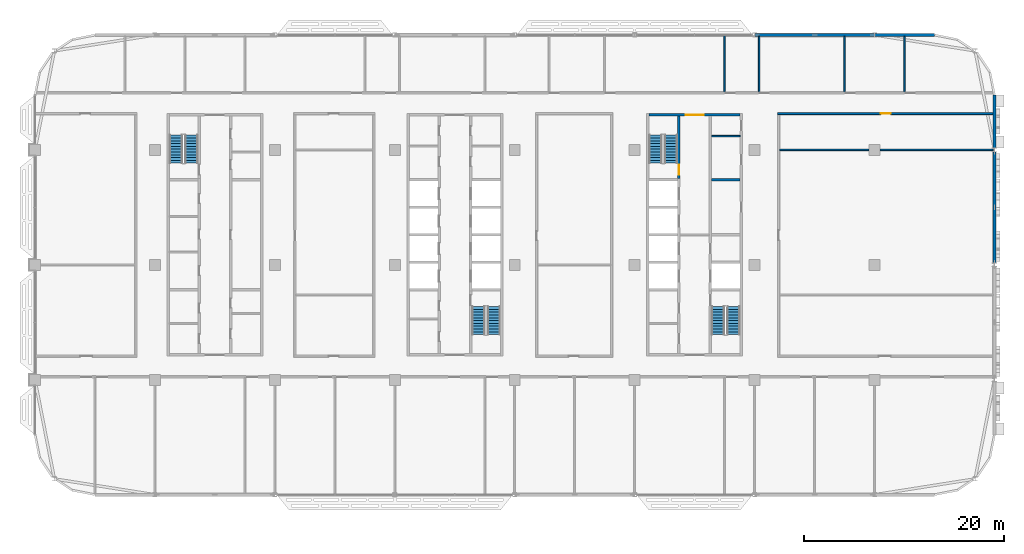
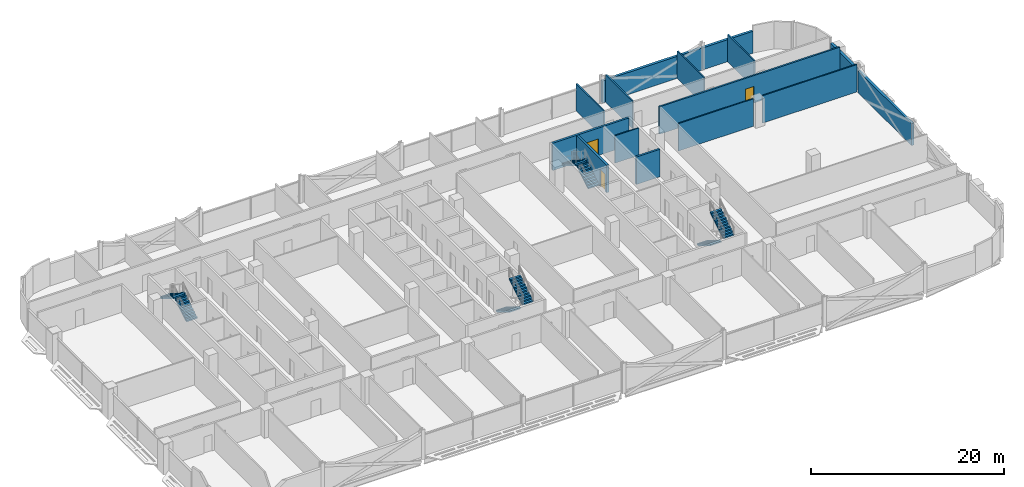
# One storey, part 18 of 29: 15 walls, 8 stair flights, 3 doors, 3 openings, 4 elements without a shape of their own.
"""IFC4 building model written with IfcOpenShell, lengths in metres."""

from ifc_helpers import new_model, si_unit, direction, frame, frame_2d, origin, place, context, subcontext, project, spatial, polyline, rectangle, outline, extrude, material, layer, layer_set, type_object, element, fill, aggregate, save


model = new_model("IFC4")

# Units and contexts
model_context = context("Model", 3, precision=1e-05, world=origin(), true_north=direction((0.0, 1.0)))
body_context = subcontext(model_context, "Body", "Model", "MODEL_VIEW")
ifc_project = project(units=[si_unit("LENGTHUNIT", "METRE"), si_unit("AREAUNIT", "SQUARE_METRE"), si_unit("VOLUMEUNIT", "CUBIC_METRE"), si_unit("PLANEANGLEUNIT", "RADIAN"), si_unit("MASSUNIT", "GRAM", prefix="KILO")], contexts=[model_context])

# Site, building, storey
site_placement = place(None, origin())
site = spatial("IfcSite", under=ifc_project, at=site_placement, CompositionType="ELEMENT")
building_placement = place(site_placement, origin())
building = spatial("IfcBuilding", under=site, at=building_placement, Name="Mahtab Terrace Research Tower", CompositionType="ELEMENT")
storey_placement = place(building_placement, frame((0.0, 0.0, 197.699951171875)))
storey = spatial("IfcBuildingStorey", under=building, at=storey_placement, Name="L47", CompositionType="ELEMENT", Elevation=197.699951171875)

# Wall
ifc_material_1 = material(Name="Gypsum board partition")
ifc_layer_1 = layer(ifc_material_1, 0.14990234375)
ifc_layer_set_1 = layer_set([ifc_layer_1], Name="Core partition 150")
wall_type_1 = type_object("IfcWallType", Name="Core partition 150", PredefinedType="PARTITIONING", material=ifc_layer_set_1)
wall_1_placement = place(storey_placement, frame((25.699951171875, 12.875, 0.0), z_axis=(0.0, 0.0, 1.0), x_axis=(1.0, 0.0, 0.0)))
element("IfcWall", 1, at=wall_1_placement, inside=storey, type_object=wall_type_1, Name="Core wall C pEN988", PredefinedType="PARTITIONING", context=body_context, shape_type="SweptSolid", body=[
    extrude(rectangle(XDim=2.85009765625, YDim=0.14990234375, at=frame_2d((1.425048828125, 0.0))), origin(), (0.0, 0.0, 1.0), 3.4599609375),
])

# Wall, opening, door
ifc_material_2 = material(Name="Concrete C70/85", Category="concrete")
ifc_layer_2 = layer(ifc_material_2, 0.25)
ifc_layer_set_2 = layer_set([ifc_layer_2], Name="Core wall 250")
wall_type_2 = type_object("IfcWallType", Name="Core wall 250", PredefinedType="SOLIDWALL", material=ifc_layer_set_2)
wall_2_placement = place(storey_placement, frame((19.449951171875, 15.0, 0.0), z_axis=(0.0, 0.0, 1.0), x_axis=(1.0, 0.0, 0.0)))
wall_2 = element("IfcWall", 2, at=wall_2_placement, inside=storey, type_object=wall_type_2, Name="Core wall C endN", PredefinedType="SOLIDWALL", context=body_context, shape_type="SweptSolid", body=[
    extrude(rectangle(XDim=9.10009765625, YDim=0.25, at=frame_2d((4.550048828125, 0.0))), origin(), (0.0, 0.0, 1.0), 3.4599609375),
])
opening_1_placement = place(wall_2_placement, frame((3.64990234375, 0.0, 0.0)))
opening_1 = element("IfcOpeningElement", 3, at=opening_1_placement, cuts=wall_2, Name="Opening C-N1", PredefinedType="OPENING", context=body_context, shape_type="SweptSolid", body=[
    extrude(rectangle(XDim=1.800048828125, YDim=2.10009765625, at=frame_2d((0.89990234375, 1.050048828125))), frame((0.0, 0.135009765625, 0.0), z_axis=(0.0, -1.0, 0.0), x_axis=(1.0, 0.0, 0.0)), (0.0, 0.0, 1.0), 0.27001953125),
])
ifc_material_3 = material(Name="Steel fire door", Category="steel")
door_type_1 = type_object("IfcDoorType", Name="Lobby double door 1800x2100 1 HR", OperationType="DOUBLE_DOOR_SINGLE_SWING", PredefinedType="DOOR", material=ifc_material_3)
door_1_placement = place(opening_1_placement, origin())
door_1 = element("IfcDoor", 4, at=door_1_placement, inside=storey, type_object=door_type_1, Name="Core entrance door C N", OperationType="DOUBLE_DOOR_SINGLE_SWING", OverallHeight=2.10009765625, OverallWidth=1.800048828125, PredefinedType="DOOR", context=body_context, shape_type="SweptSolid", body=[
    extrude(rectangle(XDim=1.800048828125, YDim=2.10009765625, at=frame_2d((0.89990234375, 1.050048828125))), frame((0.0, 0.02490234375, 0.0), z_axis=(0.0, -1.0, 0.0), x_axis=(1.0, 0.0, 0.0)), (0.0, 0.0, 1.0), 0.050048828125),
])
fill(opening_1, door_1)

wall_3_placement = place(storey_placement, frame((22.425048828125, 14.875, 0.0), z_axis=(0.0, 0.0, 1.0), x_axis=(0.0, -1.0, 0.0)))
wall_3 = element("IfcWall", 5, at=wall_3_placement, inside=storey, type_object=wall_type_2, Name="Core wall C innerWN", PredefinedType="SOLIDWALL", context=body_context, shape_type="SweptSolid", body=[
    extrude(rectangle(XDim=6.25, YDim=0.25, at=frame_2d((3.125, 0.0))), origin(), (0.0, 0.0, 1.0), 3.4599609375),
])
opening_2_placement = place(wall_3_placement, frame((4.85009765625, 0.0, 0.0)))
opening_2 = element("IfcOpeningElement", 6, at=opening_2_placement, cuts=wall_3, Name="Opening C-ST3", PredefinedType="OPENING", context=body_context, shape_type="SweptSolid", body=[
    extrude(rectangle(XDim=1.0, YDim=2.10009765625, at=frame_2d((0.5, 1.050048828125))), frame((0.0, 0.135009765625, 0.0), z_axis=(0.0, -1.0, 0.0), x_axis=(1.0, 0.0, 0.0)), (0.0, 0.0, 1.0), 0.27001953125),
])
door_type_2 = type_object("IfcDoorType", Name="Stair door 1000x2100 1.5 HR", OperationType="NOTDEFINED", PredefinedType="DOOR", material=ifc_material_3)
door_2_placement = place(opening_2_placement, origin())
door_2 = element("IfcDoor", 7, at=door_2_placement, inside=storey, type_object=door_type_2, Name="Stair door ST3 L47", OperationType="SINGLE_SWING_LEFT", OverallHeight=2.10009765625, OverallWidth=1.0, PredefinedType="DOOR", context=body_context, shape_type="SweptSolid", body=[
    extrude(rectangle(XDim=1.0, YDim=2.10009765625, at=frame_2d((0.5, 1.050048828125))), frame((0.0, 0.02490234375, 0.0), z_axis=(0.0, -1.0, 0.0), x_axis=(1.0, 0.0, 0.0)), (0.0, 0.0, 1.0), 0.050048828125),
])
fill(opening_2, door_2)

# Walls
wall_4_placement = place(storey_placement, frame((25.699951171875, 8.5, 0.0), z_axis=(0.0, 0.0, 1.0), x_axis=(1.0, 0.0, 0.0)))
element("IfcWall", 8, at=wall_4_placement, inside=storey, type_object=wall_type_2, Name="Core wall C divE4", PredefinedType="SOLIDWALL", context=body_context, shape_type="SweptSolid", body=[
    extrude(rectangle(XDim=2.85009765625, YDim=0.25, at=frame_2d((1.425048828125, 0.0))), origin(), (0.0, 0.0, 1.0), 3.4599609375),
])
ifc_material_4 = material(Name="Black aluminium cladding panel", Category="aluminium")
ifc_layer_3 = layer(ifc_material_4, 0.300048828125)
ifc_layer_set_3 = layer_set([ifc_layer_3], Name="Opaque facade wall 300")
wall_type_3 = type_object("IfcWallType", Name="Opaque facade wall 300", PredefinedType="NOTDEFINED", material=ifc_layer_set_3)
wall_5_placement = place(storey_placement, frame((48.0, 23.0, 0.0), z_axis=(0.0, 0.0, 1.0), x_axis=(-1.0, 0.0, 0.0)))
element("IfcWall", 9, at=wall_5_placement, inside=storey, type_object=wall_type_3, Name="Opaque facade wall L47 N3", PredefinedType="NOTDEFINED", context=body_context, shape_type="SweptSolid", body=[
    extrude(rectangle(XDim=5.987548828125, YDim=0.300048828125, at=frame_2d((2.99365234375, 0.0))), origin(), (0.0, 0.0, 1.0), 2.78173828125),
])
wall_6_placement = place(storey_placement, frame((41.987548828125, 23.0, 0.0), z_axis=(0.0, 0.0, 1.0), x_axis=(-1.0, 0.0, 0.0)))
element("IfcWall", 10, at=wall_6_placement, inside=storey, type_object=wall_type_3, Name="Opaque facade wall L47 N4", PredefinedType="NOTDEFINED", context=body_context, shape_type="SweptSolid", body=[
    extrude(rectangle(XDim=11.97509765625, YDim=0.300048828125, at=frame_2d((5.987548828125, 0.0))), origin(), (0.0, 0.0, 1.0), 2.78173828125),
])
wall_7_placement = place(storey_placement, frame((54.0, 0.199951171875, 0.0), z_axis=(0.0, 0.0, 1.0), x_axis=(0.0, 1.0, 0.0)))
element("IfcWall", 11, at=wall_7_placement, inside=storey, type_object=wall_type_3, Name="Opaque facade wall L47 E37", PredefinedType="NOTDEFINED", context=body_context, shape_type="SweptSolid", body=[
    extrude(rectangle(XDim=11.10009765625, YDim=0.300048828125, at=frame_2d((5.550048828125, 0.0))), origin(), (0.0, 0.0, 1.0), 2.78173828125),
])
wall_8_placement = place(storey_placement, frame((54.0, 11.699951171875, 0.0), z_axis=(0.0, 0.0, 1.0), x_axis=(0.0, 1.0, 0.0)))
element("IfcWall", 12, at=wall_8_placement, inside=storey, type_object=wall_type_3, Name="Opaque facade wall L47 E38", PredefinedType="NOTDEFINED", context=body_context, shape_type="SweptSolid", body=[
    extrude(rectangle(XDim=5.300048828125, YDim=0.300048828125, at=frame_2d((2.64990234375, 0.0))), origin(), (0.0, 0.0, 1.0), 2.78173828125),
])

# Wall, opening, door
ifc_material_5 = material(Name="Gypsum board corridor wall on steel studs", Category="steel")
ifc_layer_4 = layer(ifc_material_5, 0.199951171875)
ifc_layer_set_4 = layer_set([ifc_layer_4], Name="WALL CORRIDOR 200")
wall_type_4 = type_object("IfcWallType", Name="WALL CORRIDOR 200", PredefinedType="PARTITIONING", material=ifc_layer_set_4)
wall_9_placement = place(storey_placement, frame((32.300048828125, 15.125, 0.0), z_axis=(0.0, 0.0, 1.0), x_axis=(1.0, 0.0, 0.0)))
wall_9 = element("IfcWall", 13, at=wall_9_placement, inside=storey, type_object=wall_type_4, Name="L47-W023", PredefinedType="PARTITIONING", context=body_context, shape_type="SweptSolid", body=[
    extrude(rectangle(XDim=21.550048828125, YDim=0.199951171875, at=frame_2d((10.77490234375, 0.0))), origin(), (0.0, 0.0, 1.0), 3.4599609375),
])
opening_3_placement = place(wall_9_placement, frame((10.300048828125, 0.0, 0.0)))
opening_3 = element("IfcOpeningElement", 14, at=opening_3_placement, cuts=wall_9, Name="Opening L47-125", PredefinedType="OPENING", context=body_context, shape_type="SweptSolid", body=[
    extrude(rectangle(XDim=1.0, YDim=2.10009765625, at=frame_2d((0.5, 1.050048828125))), frame((0.0, 0.10986328125, 0.0), z_axis=(0.0, -1.0, 0.0), x_axis=(1.0, 0.0, 0.0)), (0.0, 0.0, 1.0), 0.219970703125),
])
ifc_material_6 = material(Name="Timber door leaf in steel frame", Category="steel")
door_type_3 = type_object("IfcDoorType", Name="DOOR 1000X2100 FD30S", OperationType="SINGLE_SWING_LEFT", PredefinedType="DOOR", material=ifc_material_6)
door_3_placement = place(opening_3_placement, origin())
door_3 = element("IfcDoor", 15, at=door_3_placement, inside=storey, type_object=door_type_3, Name="Door L47-125", OperationType="SINGLE_SWING_LEFT", OverallHeight=2.10009765625, OverallWidth=1.0, PredefinedType="DOOR", context=body_context, shape_type="SweptSolid", body=[
    extrude(rectangle(XDim=1.0, YDim=2.10009765625, at=frame_2d((0.5, 1.050048828125))), frame((0.0, 0.02490234375, 0.0), z_axis=(0.0, -1.0, 0.0), x_axis=(1.0, 0.0, 0.0)), (0.0, 0.0, 1.0), 0.050048828125),
])
fill(opening_3, door_3)

# Walls
ifc_material_7 = material(Name="Gypsum board partition on steel studs", Category="steel")
ifc_layer_5 = layer(ifc_material_7, 0.14990234375)
ifc_layer_set_5 = layer_set([ifc_layer_5], Name="WALL PARTITION 150")
wall_type_5 = type_object("IfcWallType", Name="WALL PARTITION 150", PredefinedType="PARTITIONING", material=ifc_layer_set_5)
wall_10_placement = place(storey_placement, frame((32.5, 11.5, 0.0), z_axis=(0.0, 0.0, 1.0), x_axis=(1.0, 0.0, 0.0)))
element("IfcWall", 16, at=wall_10_placement, inside=storey, type_object=wall_type_5, Name="L47-W018", PredefinedType="PARTITIONING", context=body_context, shape_type="SweptSolid", body=[
    extrude(rectangle(XDim=8.949951171875, YDim=0.14990234375, at=frame_2d((4.47509765625, 0.0))), origin(), (0.0, 0.0, 1.0), 3.4599609375),
])
wall_11_placement = place(storey_placement, frame((42.550048828125, 11.5, 0.0), z_axis=(0.0, 0.0, 1.0), x_axis=(1.0, 0.0, 0.0)))
element("IfcWall", 17, at=wall_11_placement, inside=storey, type_object=wall_type_5, Name="L47-W019", PredefinedType="PARTITIONING", context=body_context, shape_type="SweptSolid", body=[
    extrude(rectangle(XDim=11.300048828125, YDim=0.14990234375, at=frame_2d((5.64990234375, 0.0))), origin(), (0.0, 0.0, 1.0), 3.4599609375),
])
wall_12_placement = place(storey_placement, frame((27.0, 17.300048828125, 0.0), z_axis=(0.0, 0.0, 1.0), x_axis=(0.0, 1.0, 0.0)))
element("IfcWall", 18, at=wall_12_placement, inside=storey, type_object=wall_type_5, Name="L47-W049", PredefinedType="PARTITIONING", context=body_context, shape_type="SweptSolid", body=[
    extrude(rectangle(XDim=5.675048828125, YDim=0.14990234375, at=frame_2d((2.83740234375, 0.0))), origin(), (0.0, 0.0, 1.0), 3.4599609375),
])
for number, where, z_axis, x_axis, name in (
    (19, (30.449951171875, 17.300048828125, 0.0), (0.0, 0.0, 1.0), (0.0, 1.0, 0.0), "L47-W051"),
    (20, (39.0, 17.300048828125, 0.0), (0.0, 0.0, 1.0), (0.0, 1.0, 0.0), "L47-W054"),
    (21, (45.0, 17.300048828125, 0.0), (0.0, 0.0, 1.0), (0.0, 1.0, 0.0), "L47-W056"),
):
    element("IfcWall", number, at=place(storey_placement, frame(where, z_axis=z_axis, x_axis=x_axis)), inside=storey, type_object=wall_type_5, Name=name, PredefinedType="PARTITIONING", context=body_context, shape_type="SweptSolid", body=[
        extrude(rectangle(XDim=5.550048828125, YDim=0.14990234375, at=frame_2d((2.77490234375, 0.0))), origin(), (0.0, 0.0, 1.0), 3.4599609375),
    ])

# Stair, stair flights
ifc_material_8 = material(Name="Exit stair half-turn")
stair_type = type_object("IfcStairType", Name="Exit stair half-turn", PredefinedType="HALF_TURN_STAIR", material=ifc_material_8)
stair_1_placement = place(storey_placement, origin())
stair_1 = element("IfcStair", 22, at=stair_1_placement, inside=storey, type_object=stair_type, Name="L47 Protected exit stair ST1", PredefinedType="HALF_TURN_STAIR")
ifc_material_9 = material(Name="Concrete C40/50", Category="concrete")
stair_flight_type = type_object("IfcStairFlightType", Name="Exit stair flight 1300", PredefinedType="STRAIGHT", material=ifc_material_9)
stair_flight_1_placement = place(storey_placement, frame((-26.35009765625, 10.175048828125, 0.0), z_axis=(0.0, 0.0, 1.0), x_axis=(0.0, 1.0, 0.0)))
stair_flight_1 = element("IfcStairFlight", 23, at=stair_flight_1_placement, type_object=stair_flight_type, Name="ST1 flight 1", NumberOfRisers=11, NumberOfTreads=10, PredefinedType="STRAIGHT", RiserHeight=0.172727273, TreadLength=0.28, context=body_context, shape_type="SweptSolid", body=[
    extrude(outline(polyline([(0.0, 0.0), (0.0, 0.172607421875), (0.280029296875, 0.172607421875), (0.280029296875, 0.345458984375), (0.56005859375, 0.345458984375), (0.56005859375, 0.51806640625), (0.840087890625, 0.51806640625), (0.840087890625, 0.69091796875), (1.1201171875, 0.69091796875), (1.1201171875, 0.863525390625), (1.39990234375, 0.863525390625), (1.39990234375, 1.036376953125), (1.679931640625, 1.036376953125), (1.679931640625, 1.208984375), (1.9599609375, 1.208984375), (1.9599609375, 1.3818359375), (2.239990234375, 1.3818359375), (2.239990234375, 1.554443359375), (2.52001953125, 1.554443359375), (2.52001953125, 1.727294921875), (2.800048828125, 1.727294921875), (2.800048828125, 1.89990234375), (2.800048828125, 1.551025390625), (0.285400390625, 0.0), (0.0, 0.0)])), frame((0.0, 0.64990234375, 0.0), z_axis=(0.0, -1.0, 0.0), x_axis=(1.0, 0.0, 0.0)), (0.0, 0.0, 1.0), 1.300048828125),
])
stair_flight_2_placement = place(storey_placement, frame((-27.89990234375, 12.97509765625, 1.900146484375), z_axis=(0.0, 0.0, 1.0), x_axis=(0.0, -1.0, 0.0)))
stair_flight_2 = element("IfcStairFlight", 24, at=stair_flight_2_placement, type_object=stair_flight_type, Name="ST1 flight 2", NumberOfRisers=11, NumberOfTreads=10, PredefinedType="STRAIGHT", RiserHeight=0.172727273, TreadLength=0.28, context=body_context, shape_type="SweptSolid", body=[
    extrude(outline(polyline([(0.0, 0.0), (0.0, 0.172607421875), (0.280029296875, 0.172607421875), (0.280029296875, 0.345458984375), (0.56005859375, 0.345458984375), (0.56005859375, 0.51806640625), (0.840087890625, 0.51806640625), (0.840087890625, 0.69091796875), (1.1201171875, 0.69091796875), (1.1201171875, 0.863525390625), (1.39990234375, 0.863525390625), (1.39990234375, 1.036376953125), (1.679931640625, 1.036376953125), (1.679931640625, 1.208984375), (1.9599609375, 1.208984375), (1.9599609375, 1.3818359375), (2.239990234375, 1.3818359375), (2.239990234375, 1.554443359375), (2.52001953125, 1.554443359375), (2.52001953125, 1.727294921875), (2.800048828125, 1.727294921875), (2.800048828125, 1.89990234375), (2.800048828125, 1.551025390625), (0.285400390625, 0.0), (0.0, 0.0)])), frame((0.0, 0.64990234375, 0.0), z_axis=(0.0, -1.0, 0.0), x_axis=(1.0, 0.0, 0.0)), (0.0, 0.0, 1.0), 1.300048828125),
])
aggregate(stair_1, [stair_flight_1, stair_flight_2])

stair_2_placement = place(storey_placement, origin())
stair_2 = element("IfcStair", 25, at=stair_2_placement, inside=storey, type_object=stair_type, Name="L47 Protected exit stair ST2", PredefinedType="HALF_TURN_STAIR")
stair_flight_3_placement = place(storey_placement, frame((2.35009765625, -4.175048828125, 0.0), z_axis=(0.0, 0.0, 1.0), x_axis=(0.0, -1.0, 0.0)))
stair_flight_3 = element("IfcStairFlight", 26, at=stair_flight_3_placement, type_object=stair_flight_type, Name="ST2 flight 1", NumberOfRisers=11, NumberOfTreads=10, PredefinedType="STRAIGHT", RiserHeight=0.172727273, TreadLength=0.28, context=body_context, shape_type="SweptSolid", body=[
    extrude(outline(polyline([(0.0, 0.0), (0.0, 0.172607421875), (0.280029296875, 0.172607421875), (0.280029296875, 0.345458984375), (0.56005859375, 0.345458984375), (0.56005859375, 0.51806640625), (0.840087890625, 0.51806640625), (0.840087890625, 0.69091796875), (1.1201171875, 0.69091796875), (1.1201171875, 0.863525390625), (1.39990234375, 0.863525390625), (1.39990234375, 1.036376953125), (1.679931640625, 1.036376953125), (1.679931640625, 1.208984375), (1.9599609375, 1.208984375), (1.9599609375, 1.3818359375), (2.239990234375, 1.3818359375), (2.239990234375, 1.554443359375), (2.52001953125, 1.554443359375), (2.52001953125, 1.727294921875), (2.800048828125, 1.727294921875), (2.800048828125, 1.89990234375), (2.800048828125, 1.551025390625), (0.285400390625, 0.0), (0.0, 0.0)])), frame((0.0, 0.64990234375, 0.0), z_axis=(0.0, -1.0, 0.0), x_axis=(1.0, 0.0, 0.0)), (0.0, 0.0, 1.0), 1.300048828125),
])
stair_flight_4_placement = place(storey_placement, frame((3.89990234375, -6.97509765625, 1.900146484375), z_axis=(0.0, 0.0, 1.0), x_axis=(0.0, 1.0, 0.0)))
stair_flight_4 = element("IfcStairFlight", 27, at=stair_flight_4_placement, type_object=stair_flight_type, Name="ST2 flight 2", NumberOfRisers=11, NumberOfTreads=10, PredefinedType="STRAIGHT", RiserHeight=0.172727273, TreadLength=0.28, context=body_context, shape_type="SweptSolid", body=[
    extrude(outline(polyline([(0.0, 0.0), (0.0, 0.172607421875), (0.280029296875, 0.172607421875), (0.280029296875, 0.345458984375), (0.56005859375, 0.345458984375), (0.56005859375, 0.51806640625), (0.840087890625, 0.51806640625), (0.840087890625, 0.69091796875), (1.1201171875, 0.69091796875), (1.1201171875, 0.863525390625), (1.39990234375, 0.863525390625), (1.39990234375, 1.036376953125), (1.679931640625, 1.036376953125), (1.679931640625, 1.208984375), (1.9599609375, 1.208984375), (1.9599609375, 1.3818359375), (2.239990234375, 1.3818359375), (2.239990234375, 1.554443359375), (2.52001953125, 1.554443359375), (2.52001953125, 1.727294921875), (2.800048828125, 1.727294921875), (2.800048828125, 1.89990234375), (2.800048828125, 1.551025390625), (0.285400390625, 0.0), (0.0, 0.0)])), frame((0.0, 0.64990234375, 0.0), z_axis=(0.0, -1.0, 0.0), x_axis=(1.0, 0.0, 0.0)), (0.0, 0.0, 1.0), 1.300048828125),
])
aggregate(stair_2, [stair_flight_3, stair_flight_4])

stair_3_placement = place(storey_placement, origin())
stair_3 = element("IfcStair", 28, at=stair_3_placement, inside=storey, type_object=stair_type, Name="L47 Protected exit stair ST3", PredefinedType="HALF_TURN_STAIR")
stair_flight_5_placement = place(storey_placement, frame((21.64990234375, 10.175048828125, 0.0), z_axis=(0.0, 0.0, 1.0), x_axis=(0.0, 1.0, 0.0)))
stair_flight_5 = element("IfcStairFlight", 29, at=stair_flight_5_placement, type_object=stair_flight_type, Name="ST3 flight 1", NumberOfRisers=11, NumberOfTreads=10, PredefinedType="STRAIGHT", RiserHeight=0.172727273, TreadLength=0.28, context=body_context, shape_type="SweptSolid", body=[
    extrude(outline(polyline([(0.0, 0.0), (0.0, 0.172607421875), (0.280029296875, 0.172607421875), (0.280029296875, 0.345458984375), (0.56005859375, 0.345458984375), (0.56005859375, 0.51806640625), (0.840087890625, 0.51806640625), (0.840087890625, 0.69091796875), (1.1201171875, 0.69091796875), (1.1201171875, 0.863525390625), (1.39990234375, 0.863525390625), (1.39990234375, 1.036376953125), (1.679931640625, 1.036376953125), (1.679931640625, 1.208984375), (1.9599609375, 1.208984375), (1.9599609375, 1.3818359375), (2.239990234375, 1.3818359375), (2.239990234375, 1.554443359375), (2.52001953125, 1.554443359375), (2.52001953125, 1.727294921875), (2.800048828125, 1.727294921875), (2.800048828125, 1.89990234375), (2.800048828125, 1.551025390625), (0.285400390625, 0.0), (0.0, 0.0)])), frame((0.0, 0.64990234375, 0.0), z_axis=(0.0, -1.0, 0.0), x_axis=(1.0, 0.0, 0.0)), (0.0, 0.0, 1.0), 1.300048828125),
])
stair_flight_6_placement = place(storey_placement, frame((20.10009765625, 12.97509765625, 1.900146484375), z_axis=(0.0, 0.0, 1.0), x_axis=(0.0, -1.0, 0.0)))
stair_flight_6 = element("IfcStairFlight", 30, at=stair_flight_6_placement, type_object=stair_flight_type, Name="ST3 flight 2", NumberOfRisers=11, NumberOfTreads=10, PredefinedType="STRAIGHT", RiserHeight=0.172727273, TreadLength=0.28, context=body_context, shape_type="SweptSolid", body=[
    extrude(outline(polyline([(0.0, 0.0), (0.0, 0.172607421875), (0.280029296875, 0.172607421875), (0.280029296875, 0.345458984375), (0.56005859375, 0.345458984375), (0.56005859375, 0.51806640625), (0.840087890625, 0.51806640625), (0.840087890625, 0.69091796875), (1.1201171875, 0.69091796875), (1.1201171875, 0.863525390625), (1.39990234375, 0.863525390625), (1.39990234375, 1.036376953125), (1.679931640625, 1.036376953125), (1.679931640625, 1.208984375), (1.9599609375, 1.208984375), (1.9599609375, 1.3818359375), (2.239990234375, 1.3818359375), (2.239990234375, 1.554443359375), (2.52001953125, 1.554443359375), (2.52001953125, 1.727294921875), (2.800048828125, 1.727294921875), (2.800048828125, 1.89990234375), (2.800048828125, 1.551025390625), (0.285400390625, 0.0), (0.0, 0.0)])), frame((0.0, 0.64990234375, 0.0), z_axis=(0.0, -1.0, 0.0), x_axis=(1.0, 0.0, 0.0)), (0.0, 0.0, 1.0), 1.300048828125),
])
aggregate(stair_3, [stair_flight_5, stair_flight_6])

stair_4_placement = place(storey_placement, origin())
stair_4 = element("IfcStair", 31, at=stair_4_placement, inside=storey, type_object=stair_type, Name="L47 Protected exit stair ST4", PredefinedType="HALF_TURN_STAIR")
stair_flight_7_placement = place(storey_placement, frame((26.35009765625, -4.175048828125, 0.0), z_axis=(0.0, 0.0, 1.0), x_axis=(0.0, -1.0, 0.0)))
stair_flight_7 = element("IfcStairFlight", 32, at=stair_flight_7_placement, type_object=stair_flight_type, Name="ST4 flight 1", NumberOfRisers=11, NumberOfTreads=10, PredefinedType="STRAIGHT", RiserHeight=0.172727273, TreadLength=0.28, context=body_context, shape_type="SweptSolid", body=[
    extrude(outline(polyline([(0.0, 0.0), (0.0, 0.172607421875), (0.280029296875, 0.172607421875), (0.280029296875, 0.345458984375), (0.56005859375, 0.345458984375), (0.56005859375, 0.51806640625), (0.840087890625, 0.51806640625), (0.840087890625, 0.69091796875), (1.1201171875, 0.69091796875), (1.1201171875, 0.863525390625), (1.39990234375, 0.863525390625), (1.39990234375, 1.036376953125), (1.679931640625, 1.036376953125), (1.679931640625, 1.208984375), (1.9599609375, 1.208984375), (1.9599609375, 1.3818359375), (2.239990234375, 1.3818359375), (2.239990234375, 1.554443359375), (2.52001953125, 1.554443359375), (2.52001953125, 1.727294921875), (2.800048828125, 1.727294921875), (2.800048828125, 1.89990234375), (2.800048828125, 1.551025390625), (0.285400390625, 0.0), (0.0, 0.0)])), frame((0.0, 0.64990234375, 0.0), z_axis=(0.0, -1.0, 0.0), x_axis=(1.0, 0.0, 0.0)), (0.0, 0.0, 1.0), 1.300048828125),
])
stair_flight_8_placement = place(storey_placement, frame((27.89990234375, -6.97509765625, 1.900146484375), z_axis=(0.0, 0.0, 1.0), x_axis=(0.0, 1.0, 0.0)))
stair_flight_8 = element("IfcStairFlight", 33, at=stair_flight_8_placement, type_object=stair_flight_type, Name="ST4 flight 2", NumberOfRisers=11, NumberOfTreads=10, PredefinedType="STRAIGHT", RiserHeight=0.172727273, TreadLength=0.28, context=body_context, shape_type="SweptSolid", body=[
    extrude(outline(polyline([(0.0, 0.0), (0.0, 0.172607421875), (0.280029296875, 0.172607421875), (0.280029296875, 0.345458984375), (0.56005859375, 0.345458984375), (0.56005859375, 0.51806640625), (0.840087890625, 0.51806640625), (0.840087890625, 0.69091796875), (1.1201171875, 0.69091796875), (1.1201171875, 0.863525390625), (1.39990234375, 0.863525390625), (1.39990234375, 1.036376953125), (1.679931640625, 1.036376953125), (1.679931640625, 1.208984375), (1.9599609375, 1.208984375), (1.9599609375, 1.3818359375), (2.239990234375, 1.3818359375), (2.239990234375, 1.554443359375), (2.52001953125, 1.554443359375), (2.52001953125, 1.727294921875), (2.800048828125, 1.727294921875), (2.800048828125, 1.89990234375), (2.800048828125, 1.551025390625), (0.285400390625, 0.0), (0.0, 0.0)])), frame((0.0, 0.64990234375, 0.0), z_axis=(0.0, -1.0, 0.0), x_axis=(1.0, 0.0, 0.0)), (0.0, 0.0, 1.0), 1.300048828125),
])
aggregate(stair_4, [stair_flight_7, stair_flight_8])

save(model, "model.ifc")
